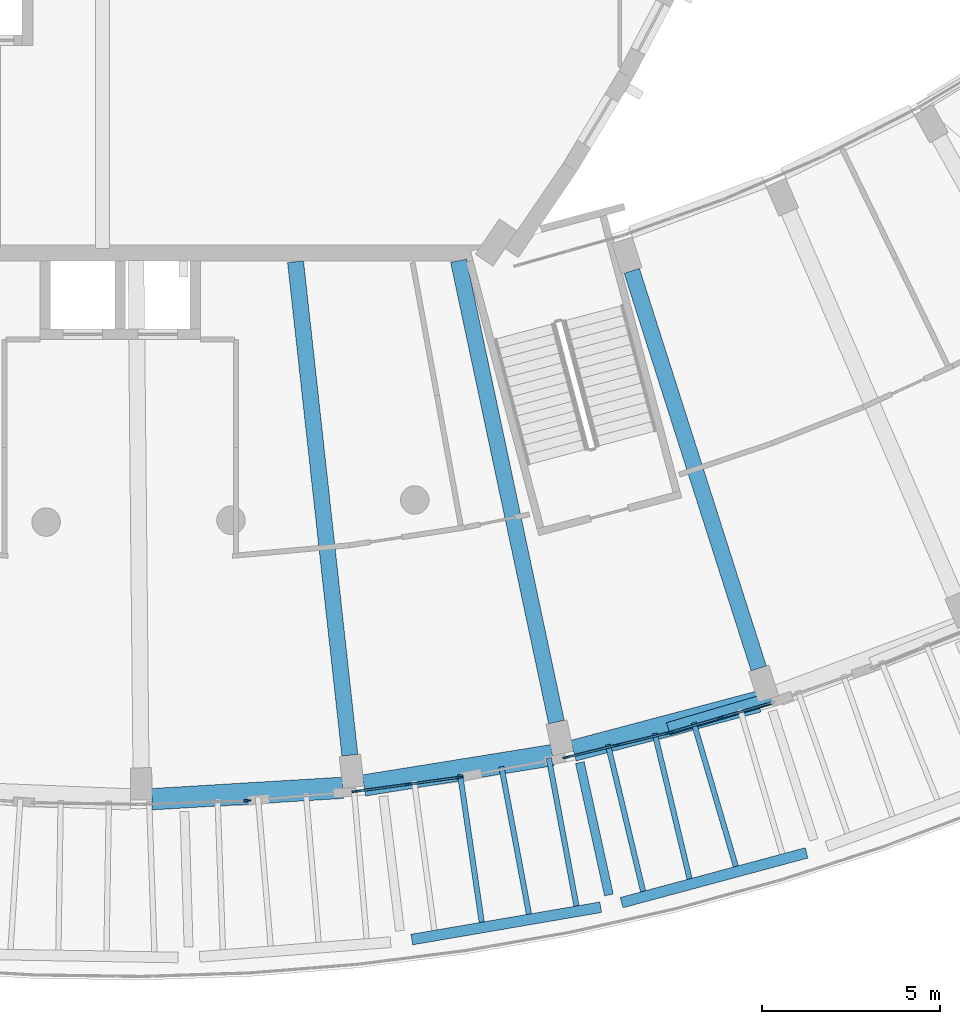
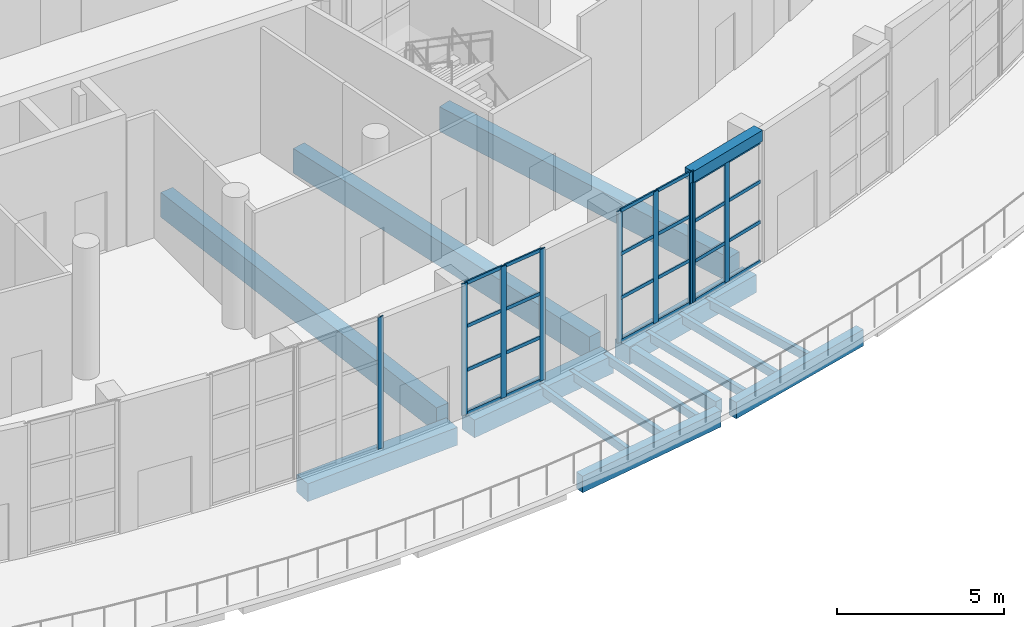
# One storey, part 19 of 93: 33 members, 16 beams, 4 elements without a shape of their own.
"""IFC4 building model written with IfcOpenShell, lengths in metres."""

from ifc_helpers import new_model, si_unit, direction, frame, origin, origin_2d, place, context, subcontext, project, spatial, rectangle, extrude, material, material_profile, profile_set, type_object, element, aggregate, save


model = new_model("IFC4")

# Units and contexts
model_context = context("Model", 3, precision=1e-05, world=origin(), true_north=direction((0.0, 1.0)))
body_context = subcontext(model_context, "Body", "Model", "MODEL_VIEW")
ifc_project = project(units=[si_unit("LENGTHUNIT", "METRE"), si_unit("AREAUNIT", "SQUARE_METRE"), si_unit("VOLUMEUNIT", "CUBIC_METRE"), si_unit("PLANEANGLEUNIT", "RADIAN"), si_unit("MASSUNIT", "GRAM", prefix="KILO")], contexts=[model_context])

# Site, building, storey
site_placement = place(None, origin())
site = spatial("IfcSite", under=ifc_project, at=site_placement, CompositionType="ELEMENT")
building_placement = place(site_placement, origin())
building = spatial("IfcBuilding", under=site, at=building_placement, Name="Tide Square Theatres", CompositionType="ELEMENT")
storey_placement = place(building_placement, frame((0.0, 0.0, 5.39990234375)))
storey = spatial("IfcBuildingStorey", under=building, at=storey_placement, Name="L01", CompositionType="ELEMENT", Elevation=5.39990234375)

# Curtain wall, member
ifc_material_1 = material(Name="Aluminium 6063-T5", Category="aluminium")
curtain_wall_type_1 = type_object("IfcCurtainWallType", Name="Unitised system curtain wall 4800 high", PredefinedType="USERDEFINED", material=ifc_material_1)
curtain_wall_1_placement = place(storey_placement, origin())
curtain_wall_1 = element("IfcCurtainWall", 1, at=curtain_wall_1_placement, inside=storey, type_object=curtain_wall_type_1, Name="Foyer outer curtain wall", ObjectType="UNITISED SYSTEM", PredefinedType="USERDEFINED")
ifc_material_2 = material(Name="Aluminium 6063-T5", Category="aluminium")
ifc_material_profile_1 = material_profile(ifc_material_2, rectangle(XDim=0.050048828125, YDim=0.199951171875, at=origin_2d()))
ifc_profile_set_1 = profile_set([ifc_material_profile_1], Name="Aluminium 6063-T5")
member_type_1 = type_object("IfcMemberType", Name="Aluminium mullion 50 x 200", PredefinedType="MULLION", material=ifc_profile_set_1)
member_1_placement = place(storey_placement, frame((87.56103515625, 8.231689453125, 0.0), z_axis=(0.0, 0.0, 1.0), x_axis=(-0.034879571875, 0.999391522611, 0.0)))
member_1 = element("IfcMember", 2, at=member_1_placement, type_object=member_type_1, Name="CW-02 mullion 3", PredefinedType="MULLION", context=body_context, shape_type="SweptSolid", body=[
    extrude(rectangle(XDim=0.050048828125, YDim=0.199951171875, at=origin_2d()), origin(), (0.0, 0.0, 1.0), 4.800048828125),
])
aggregate(curtain_wall_1, [member_1])

# Curtain wall, members
curtain_wall_2_placement = place(storey_placement, origin())
curtain_wall_2 = element("IfcCurtainWall", 3, at=curtain_wall_2_placement, inside=storey, type_object=curtain_wall_type_1, Name="Foyer outer curtain wall", ObjectType="UNITISED SYSTEM", PredefinedType="USERDEFINED")
member_2_placement = place(storey_placement, frame((90.595947265625, 8.489990234375, 0.0), z_axis=(0.0, 0.0, 1.0), x_axis=(-0.134576982836, 0.990903141427, 0.0)))
member_2 = element("IfcMember", 4, at=member_2_placement, type_object=member_type_1, Name="CW-02 mullion 1", PredefinedType="MULLION", context=body_context, shape_type="SweptSolid", body=[
    extrude(rectangle(XDim=0.050048828125, YDim=0.199951171875, at=origin_2d()), origin(), (0.0, 0.0, 1.0), 4.800048828125),
])
member_3_placement = place(storey_placement, frame((92.055419921875, 8.688232421875, 0.0), z_axis=(0.0, 0.0, 1.0), x_axis=(-0.134576982836, 0.990903141427, 0.0)))
member_3 = element("IfcMember", 5, at=member_3_placement, type_object=member_type_1, Name="CW-02 mullion 2", PredefinedType="MULLION", context=body_context, shape_type="SweptSolid", body=[
    extrude(rectangle(XDim=0.050048828125, YDim=0.199951171875, at=origin_2d()), origin(), (0.0, 0.0, 1.0), 4.800048828125),
])
member_4_placement = place(storey_placement, frame((93.51513671875, 8.886474609375, 0.0), z_axis=(0.0, 0.0, 1.0), x_axis=(-0.134576982836, 0.990903141427, 0.0)))
member_4 = element("IfcMember", 6, at=member_4_placement, type_object=member_type_1, Name="CW-02 mullion 3", PredefinedType="MULLION", context=body_context, shape_type="SweptSolid", body=[
    extrude(rectangle(XDim=0.050048828125, YDim=0.199951171875, at=origin_2d()), origin(), (0.0, 0.0, 1.0), 4.800048828125),
])

curtain_wall_3_placement = place(storey_placement, origin())
curtain_wall_3 = element("IfcCurtainWall", 7, at=curtain_wall_3_placement, inside=storey, type_object=curtain_wall_type_1, Name="Foyer outer curtain wall", ObjectType="UNITISED SYSTEM", PredefinedType="USERDEFINED")
member_5_placement = place(storey_placement, frame((96.509033203125, 9.447021484375, 0.0), z_axis=(0.0, 0.0, 1.0), x_axis=(-0.232910887324, 0.972498081523, 0.0)))
member_5 = element("IfcMember", 8, at=member_5_placement, type_object=member_type_1, Name="CW-02 mullion 1", PredefinedType="MULLION", context=body_context, shape_type="SweptSolid", body=[
    extrude(rectangle(XDim=0.050048828125, YDim=0.199951171875, at=origin_2d()), origin(), (0.0, 0.0, 1.0), 4.800048828125),
])
member_6_placement = place(storey_placement, frame((97.94140625, 9.7900390625, 0.0), z_axis=(0.0, 0.0, 1.0), x_axis=(-0.232910887324, 0.972498081523, 0.0)))
member_6 = element("IfcMember", 9, at=member_6_placement, type_object=member_type_1, Name="CW-02 mullion 2", PredefinedType="MULLION", context=body_context, shape_type="SweptSolid", body=[
    extrude(rectangle(XDim=0.050048828125, YDim=0.199951171875, at=origin_2d()), origin(), (0.0, 0.0, 1.0), 4.800048828125),
])
member_7_placement = place(storey_placement, frame((99.3740234375, 10.133056640625, 0.0), z_axis=(0.0, 0.0, 1.0), x_axis=(-0.232910887324, 0.972498081523, 0.0)))
member_7 = element("IfcMember", 10, at=member_7_placement, type_object=member_type_1, Name="CW-02 mullion 3", PredefinedType="MULLION", context=body_context, shape_type="SweptSolid", body=[
    extrude(rectangle(XDim=0.050048828125, YDim=0.199951171875, at=origin_2d()), origin(), (0.0, 0.0, 1.0), 4.800048828125),
])

ifc_material_3 = material(Name="Aluminium 6063-T5", Category="aluminium")
curtain_wall_type_2 = type_object("IfcCurtainWallType", Name="Unitised system curtain wall 4600 high", PredefinedType="USERDEFINED", material=ifc_material_3)
curtain_wall_4_placement = place(storey_placement, origin())
curtain_wall_4 = element("IfcCurtainWall", 11, at=curtain_wall_4_placement, inside=storey, type_object=curtain_wall_type_2, Name="Foyer outer curtain wall", ObjectType="UNITISED SYSTEM", PredefinedType="USERDEFINED")
member_8_placement = place(storey_placement, frame((99.42236328125, 10.14599609375, 0.0), z_axis=(0.0, 0.0, 1.0), x_axis=(-0.281278914607, 0.959626058524, 0.0)))
member_8 = element("IfcMember", 12, at=member_8_placement, type_object=member_type_1, Name="CW-03 mullion 1", PredefinedType="MULLION", context=body_context, shape_type="SweptSolid", body=[
    extrude(rectangle(XDim=0.050048828125, YDim=0.199951171875, at=origin_2d()), origin(), (0.0, 0.0, 1.0), 4.400146484375),
])
member_9_placement = place(storey_placement, frame((100.835693359375, 10.560302734375, 0.0), z_axis=(0.0, 0.0, 1.0), x_axis=(-0.281278914607, 0.959626058524, 0.0)))
member_9 = element("IfcMember", 13, at=member_9_placement, type_object=member_type_1, Name="CW-03 mullion 2", PredefinedType="MULLION", context=body_context, shape_type="SweptSolid", body=[
    extrude(rectangle(XDim=0.050048828125, YDim=0.199951171875, at=origin_2d()), origin(), (0.0, 0.0, 1.0), 4.400146484375),
])

# Member
ifc_material_4 = material(Name="Aluminium 6063-T5", Category="aluminium")
ifc_material_profile_2 = material_profile(ifc_material_4, rectangle(XDim=0.050048828125, YDim=0.125, at=origin_2d()))
ifc_profile_set_2 = profile_set([ifc_material_profile_2], Name="Aluminium 6063-T5")
member_type_2 = type_object("IfcMemberType", Name="Aluminium transom 50 x 125", PredefinedType="USERDEFINED", material=ifc_profile_set_2)
member_10_placement = place(storey_placement, frame((90.62060546875, 8.493408203125, 0.025146484375), z_axis=(0.990913495372, 0.134500723749, 0.0), x_axis=(-0.134500723749, 0.990913495372, 0.0)))
member_10 = element("IfcMember", 14, at=member_10_placement, type_object=member_type_2, Name="CW-02 transom 1.1", ObjectType="TRANSOM", PredefinedType="USERDEFINED", context=body_context, shape_type="SweptSolid", body=[
    extrude(rectangle(XDim=0.050048828125, YDim=0.125, at=origin_2d()), origin(), (0.0, 0.0, 1.0), 1.423095703125),
])

member_11_placement = place(storey_placement, frame((90.62060546875, 8.493408203125, 1.60009765625), z_axis=(0.990913495372, 0.134500723749, 0.0), x_axis=(-0.134500723749, 0.990913495372, 0.0)))
member_11 = element("IfcMember", 15, at=member_11_placement, type_object=member_type_2, Name="CW-02 transom 1.2", ObjectType="TRANSOM", PredefinedType="USERDEFINED", context=body_context, shape_type="SweptSolid", body=[
    extrude(rectangle(XDim=0.050048828125, YDim=0.125, at=origin_2d()), origin(), (0.0, 0.0, 1.0), 1.423095703125),
])

member_12_placement = place(storey_placement, frame((90.62060546875, 8.493408203125, 3.2001953125), z_axis=(0.990913495372, 0.134500723749, 0.0), x_axis=(-0.134500723749, 0.990913495372, 0.0)))
member_12 = element("IfcMember", 16, at=member_12_placement, type_object=member_type_2, Name="CW-02 transom 1.3", ObjectType="TRANSOM", PredefinedType="USERDEFINED", context=body_context, shape_type="SweptSolid", body=[
    extrude(rectangle(XDim=0.050048828125, YDim=0.125, at=origin_2d()), origin(), (0.0, 0.0, 1.0), 1.423095703125),
])

member_13_placement = place(storey_placement, frame((90.62060546875, 8.493408203125, 4.775146484375), z_axis=(0.990913495372, 0.134500723749, 0.0), x_axis=(-0.134500723749, 0.990913495372, 0.0)))
member_13 = element("IfcMember", 17, at=member_13_placement, type_object=member_type_2, Name="CW-02 transom 1.4", ObjectType="TRANSOM", PredefinedType="USERDEFINED", context=body_context, shape_type="SweptSolid", body=[
    extrude(rectangle(XDim=0.050048828125, YDim=0.125, at=origin_2d()), origin(), (0.0, 0.0, 1.0), 1.423095703125),
])

member_14_placement = place(storey_placement, frame((92.080322265625, 8.691650390625, 0.025146484375), z_axis=(0.990910391038, 0.13452359248, 0.0), x_axis=(-0.13452359248, 0.990910391038, 0.0)))
member_14 = element("IfcMember", 18, at=member_14_placement, type_object=member_type_2, Name="CW-02 transom 2.1", ObjectType="TRANSOM", PredefinedType="USERDEFINED", context=body_context, shape_type="SweptSolid", body=[
    extrude(rectangle(XDim=0.050048828125, YDim=0.125, at=origin_2d()), origin(), (0.0, 0.0, 1.0), 1.4228515625),
])

member_15_placement = place(storey_placement, frame((92.080322265625, 8.691650390625, 1.60009765625), z_axis=(0.990910391038, 0.13452359248, 0.0), x_axis=(-0.13452359248, 0.990910391038, 0.0)))
member_15 = element("IfcMember", 19, at=member_15_placement, type_object=member_type_2, Name="CW-02 transom 2.2", ObjectType="TRANSOM", PredefinedType="USERDEFINED", context=body_context, shape_type="SweptSolid", body=[
    extrude(rectangle(XDim=0.050048828125, YDim=0.125, at=origin_2d()), origin(), (0.0, 0.0, 1.0), 1.4228515625),
])

member_16_placement = place(storey_placement, frame((92.080322265625, 8.691650390625, 3.2001953125), z_axis=(0.990910391038, 0.13452359248, 0.0), x_axis=(-0.13452359248, 0.990910391038, 0.0)))
member_16 = element("IfcMember", 20, at=member_16_placement, type_object=member_type_2, Name="CW-02 transom 2.3", ObjectType="TRANSOM", PredefinedType="USERDEFINED", context=body_context, shape_type="SweptSolid", body=[
    extrude(rectangle(XDim=0.050048828125, YDim=0.125, at=origin_2d()), origin(), (0.0, 0.0, 1.0), 1.4228515625),
])

member_17_placement = place(storey_placement, frame((92.080322265625, 8.691650390625, 4.775146484375), z_axis=(0.990910391038, 0.13452359248, 0.0), x_axis=(-0.13452359248, 0.990910391038, 0.0)))
member_17 = element("IfcMember", 21, at=member_17_placement, type_object=member_type_2, Name="CW-02 transom 2.4", ObjectType="TRANSOM", PredefinedType="USERDEFINED", context=body_context, shape_type="SweptSolid", body=[
    extrude(rectangle(XDim=0.050048828125, YDim=0.125, at=origin_2d()), origin(), (0.0, 0.0, 1.0), 1.4228515625),
])

aggregate(curtain_wall_2, [member_2, member_3, member_4, member_10, member_11, member_12, member_13, member_14, member_15, member_16, member_17])

member_18_placement = place(storey_placement, frame((96.533203125, 9.45263671875, 0.025146484375), z_axis=(0.972486870148, 0.232957694419, 0.0), x_axis=(-0.232957694419, 0.972486870148, 0.0)))
member_18 = element("IfcMember", 22, at=member_18_placement, type_object=member_type_2, Name="CW-02 transom 1.1", ObjectType="TRANSOM", PredefinedType="USERDEFINED", context=body_context, shape_type="SweptSolid", body=[
    extrude(rectangle(XDim=0.050048828125, YDim=0.125, at=origin_2d()), origin(), (0.0, 0.0, 1.0), 1.423095703125),
])

member_19_placement = place(storey_placement, frame((96.533203125, 9.45263671875, 1.60009765625), z_axis=(0.972486870148, 0.232957694419, 0.0), x_axis=(-0.232957694419, 0.972486870148, 0.0)))
member_19 = element("IfcMember", 23, at=member_19_placement, type_object=member_type_2, Name="CW-02 transom 1.2", ObjectType="TRANSOM", PredefinedType="USERDEFINED", context=body_context, shape_type="SweptSolid", body=[
    extrude(rectangle(XDim=0.050048828125, YDim=0.125, at=origin_2d()), origin(), (0.0, 0.0, 1.0), 1.423095703125),
])

member_20_placement = place(storey_placement, frame((96.533203125, 9.45263671875, 3.2001953125), z_axis=(0.972486870148, 0.232957694419, 0.0), x_axis=(-0.232957694419, 0.972486870148, 0.0)))
member_20 = element("IfcMember", 24, at=member_20_placement, type_object=member_type_2, Name="CW-02 transom 1.3", ObjectType="TRANSOM", PredefinedType="USERDEFINED", context=body_context, shape_type="SweptSolid", body=[
    extrude(rectangle(XDim=0.050048828125, YDim=0.125, at=origin_2d()), origin(), (0.0, 0.0, 1.0), 1.423095703125),
])

member_21_placement = place(storey_placement, frame((96.533203125, 9.45263671875, 4.775146484375), z_axis=(0.972486870148, 0.232957694419, 0.0), x_axis=(-0.232957694419, 0.972486870148, 0.0)))
member_21 = element("IfcMember", 25, at=member_21_placement, type_object=member_type_2, Name="CW-02 transom 1.4", ObjectType="TRANSOM", PredefinedType="USERDEFINED", context=body_context, shape_type="SweptSolid", body=[
    extrude(rectangle(XDim=0.050048828125, YDim=0.125, at=origin_2d()), origin(), (0.0, 0.0, 1.0), 1.423095703125),
])

member_22_placement = place(storey_placement, frame((97.9658203125, 9.7958984375, 0.025146484375), z_axis=(0.972516421982, 0.232834295101, 0.0), x_axis=(-0.232834295101, 0.972516421982, 0.0)))
member_22 = element("IfcMember", 26, at=member_22_placement, type_object=member_type_2, Name="CW-02 transom 2.1", ObjectType="TRANSOM", PredefinedType="USERDEFINED", context=body_context, shape_type="SweptSolid", body=[
    extrude(rectangle(XDim=0.050048828125, YDim=0.125, at=origin_2d()), origin(), (0.0, 0.0, 1.0), 1.4228515625),
])

member_23_placement = place(storey_placement, frame((97.9658203125, 9.7958984375, 1.60009765625), z_axis=(0.972516421982, 0.232834295101, 0.0), x_axis=(-0.232834295101, 0.972516421982, 0.0)))
member_23 = element("IfcMember", 27, at=member_23_placement, type_object=member_type_2, Name="CW-02 transom 2.2", ObjectType="TRANSOM", PredefinedType="USERDEFINED", context=body_context, shape_type="SweptSolid", body=[
    extrude(rectangle(XDim=0.050048828125, YDim=0.125, at=origin_2d()), origin(), (0.0, 0.0, 1.0), 1.4228515625),
])

member_24_placement = place(storey_placement, frame((97.9658203125, 9.7958984375, 3.2001953125), z_axis=(0.972516421982, 0.232834295101, 0.0), x_axis=(-0.232834295101, 0.972516421982, 0.0)))
member_24 = element("IfcMember", 28, at=member_24_placement, type_object=member_type_2, Name="CW-02 transom 2.3", ObjectType="TRANSOM", PredefinedType="USERDEFINED", context=body_context, shape_type="SweptSolid", body=[
    extrude(rectangle(XDim=0.050048828125, YDim=0.125, at=origin_2d()), origin(), (0.0, 0.0, 1.0), 1.4228515625),
])

member_25_placement = place(storey_placement, frame((97.9658203125, 9.7958984375, 4.775146484375), z_axis=(0.972516421982, 0.232834295101, 0.0), x_axis=(-0.232834295101, 0.972516421982, 0.0)))
member_25 = element("IfcMember", 29, at=member_25_placement, type_object=member_type_2, Name="CW-02 transom 2.4", ObjectType="TRANSOM", PredefinedType="USERDEFINED", context=body_context, shape_type="SweptSolid", body=[
    extrude(rectangle(XDim=0.050048828125, YDim=0.125, at=origin_2d()), origin(), (0.0, 0.0, 1.0), 1.4228515625),
])

aggregate(curtain_wall_3, [member_5, member_6, member_7, member_18, member_19, member_20, member_21, member_22, member_23, member_24, member_25])

member_26_placement = place(storey_placement, frame((99.4462890625, 10.153076171875, 0.025146484375), z_axis=(0.959643713624, 0.281218674527, 0.0), x_axis=(-0.281218674527, 0.959643713624, 0.0)))
member_26 = element("IfcMember", 30, at=member_26_placement, type_object=member_type_2, Name="CW-03 transom 1.1", ObjectType="TRANSOM", PredefinedType="USERDEFINED", context=body_context, shape_type="SweptSolid", body=[
    extrude(rectangle(XDim=0.050048828125, YDim=0.125, at=origin_2d()), origin(), (0.0, 0.0, 1.0), 1.4228515625),
])

member_27_placement = place(storey_placement, frame((99.4462890625, 10.153076171875, 1.466796875), z_axis=(0.959643713624, 0.281218674527, 0.0), x_axis=(-0.281218674527, 0.959643713624, 0.0)))
member_27 = element("IfcMember", 31, at=member_27_placement, type_object=member_type_2, Name="CW-03 transom 1.2", ObjectType="TRANSOM", PredefinedType="USERDEFINED", context=body_context, shape_type="SweptSolid", body=[
    extrude(rectangle(XDim=0.050048828125, YDim=0.125, at=origin_2d()), origin(), (0.0, 0.0, 1.0), 1.4228515625),
])

member_28_placement = place(storey_placement, frame((99.4462890625, 10.153076171875, 2.933349609375), z_axis=(0.959643713624, 0.281218674527, 0.0), x_axis=(-0.281218674527, 0.959643713624, 0.0)))
member_28 = element("IfcMember", 32, at=member_28_placement, type_object=member_type_2, Name="CW-03 transom 1.3", ObjectType="TRANSOM", PredefinedType="USERDEFINED", context=body_context, shape_type="SweptSolid", body=[
    extrude(rectangle(XDim=0.050048828125, YDim=0.125, at=origin_2d()), origin(), (0.0, 0.0, 1.0), 1.4228515625),
])

member_29_placement = place(storey_placement, frame((99.4462890625, 10.153076171875, 4.375), z_axis=(0.959643713624, 0.281218674527, 0.0), x_axis=(-0.281218674527, 0.959643713624, 0.0)))
member_29 = element("IfcMember", 33, at=member_29_placement, type_object=member_type_2, Name="CW-03 transom 1.4", ObjectType="TRANSOM", PredefinedType="USERDEFINED", context=body_context, shape_type="SweptSolid", body=[
    extrude(rectangle(XDim=0.050048828125, YDim=0.125, at=origin_2d()), origin(), (0.0, 0.0, 1.0), 1.4228515625),
])

member_30_placement = place(storey_placement, frame((100.85986328125, 10.5673828125, 0.025146484375), z_axis=(0.959643713624, 0.281218674527, 0.0), x_axis=(-0.281218674527, 0.959643713624, 0.0)))
member_30 = element("IfcMember", 34, at=member_30_placement, type_object=member_type_2, Name="CW-03 transom 2.1", ObjectType="TRANSOM", PredefinedType="USERDEFINED", context=body_context, shape_type="SweptSolid", body=[
    extrude(rectangle(XDim=0.050048828125, YDim=0.125, at=origin_2d()), origin(), (0.0, 0.0, 1.0), 1.4228515625),
])

member_31_placement = place(storey_placement, frame((100.85986328125, 10.5673828125, 1.466796875), z_axis=(0.959643713624, 0.281218674527, 0.0), x_axis=(-0.281218674527, 0.959643713624, 0.0)))
member_31 = element("IfcMember", 35, at=member_31_placement, type_object=member_type_2, Name="CW-03 transom 2.2", ObjectType="TRANSOM", PredefinedType="USERDEFINED", context=body_context, shape_type="SweptSolid", body=[
    extrude(rectangle(XDim=0.050048828125, YDim=0.125, at=origin_2d()), origin(), (0.0, 0.0, 1.0), 1.4228515625),
])

member_32_placement = place(storey_placement, frame((100.85986328125, 10.5673828125, 2.933349609375), z_axis=(0.959643713624, 0.281218674527, 0.0), x_axis=(-0.281218674527, 0.959643713624, 0.0)))
member_32 = element("IfcMember", 36, at=member_32_placement, type_object=member_type_2, Name="CW-03 transom 2.3", ObjectType="TRANSOM", PredefinedType="USERDEFINED", context=body_context, shape_type="SweptSolid", body=[
    extrude(rectangle(XDim=0.050048828125, YDim=0.125, at=origin_2d()), origin(), (0.0, 0.0, 1.0), 1.4228515625),
])

member_33_placement = place(storey_placement, frame((100.85986328125, 10.5673828125, 4.375), z_axis=(0.959643713624, 0.281218674527, 0.0), x_axis=(-0.281218674527, 0.959643713624, 0.0)))
member_33 = element("IfcMember", 37, at=member_33_placement, type_object=member_type_2, Name="CW-03 transom 2.4", ObjectType="TRANSOM", PredefinedType="USERDEFINED", context=body_context, shape_type="SweptSolid", body=[
    extrude(rectangle(XDim=0.050048828125, YDim=0.125, at=origin_2d()), origin(), (0.0, 0.0, 1.0), 1.4228515625),
])

aggregate(curtain_wall_4, [member_8, member_9, member_26, member_27, member_28, member_29, member_30, member_31, member_32, member_33])

# Beams
ifc_material_5 = material(Name="Concrete C35", Category="concrete")
ifc_material_profile_3 = material_profile(ifc_material_5, rectangle(XDim=0.14990234375, YDim=0.300048828125, at=origin_2d()))
ifc_profile_set_3 = profile_set([ifc_material_profile_3], Name="Concrete C35")
beam_type_1 = type_object("IfcBeamType", Name="RC arcade roof rib 150 x 300", PredefinedType="JOIST", material=ifc_profile_set_3)
beam_1_placement = place(storey_placement, frame((94.135498046875, 4.82373046875, -0.349853515625), z_axis=(-0.145210135253, 0.989400837184, 0.0), x_axis=(-0.989400837184, -0.145210135253, 0.0)))
element("IfcBeam", 38, at=beam_1_placement, inside=storey, type_object=beam_type_1, Name="Arcade roof rib", PredefinedType="JOIST", context=body_context, shape_type="SweptSolid", body=[
    extrude(rectangle(XDim=0.14990234375, YDim=0.300048828125, at=origin_2d()), origin(), (0.0, 0.0, 1.0), 4.184814453125),
])
beam_2_placement = place(storey_placement, frame((95.460205078125, 5.050537109375, -0.349853515625), z_axis=(-0.183944746899, 0.982936584978, 0.0), x_axis=(-0.982936584978, -0.183944746899, 0.0)))
element("IfcBeam", 39, at=beam_2_placement, inside=storey, type_object=beam_type_1, Name="Arcade roof rib", PredefinedType="JOIST", context=body_context, shape_type="SweptSolid", body=[
    extrude(rectangle(XDim=0.14990234375, YDim=0.300048828125, at=origin_2d()), origin(), (0.0, 0.0, 1.0), 4.2021484375),
])
beam_3_placement = place(storey_placement, frame((96.791015625, 5.278564453125, -0.349853515625), z_axis=(-0.184026722495, 0.982921240694, 0.0), x_axis=(-0.982921240694, -0.184026722495, 0.0)))
element("IfcBeam", 40, at=beam_3_placement, inside=storey, type_object=beam_type_1, Name="Arcade roof rib", PredefinedType="JOIST", context=body_context, shape_type="SweptSolid", body=[
    extrude(rectangle(XDim=0.14990234375, YDim=0.300048828125, at=origin_2d()), origin(), (0.0, 0.0, 1.0), 4.22265625),
])
beam_4_placement = place(storey_placement, frame((98.658935546875, 5.688720703125, -0.349853515625), z_axis=(-0.232910212964, 0.97249824303, 0.0), x_axis=(-0.97249824303, -0.232910212964, 0.0)))
element("IfcBeam", 41, at=beam_4_placement, inside=storey, type_object=beam_type_1, Name="Arcade roof rib", PredefinedType="JOIST", context=body_context, shape_type="SweptSolid", body=[
    extrude(rectangle(XDim=0.14990234375, YDim=0.300048828125, at=origin_2d()), origin(), (0.0, 0.0, 1.0), 4.230712890625),
])
beam_5_placement = place(storey_placement, frame((99.962646484375, 6.0390625, -0.349853515625), z_axis=(-0.23287968258, 0.972505554453, 0.0), x_axis=(-0.972505554453, -0.23287968258, 0.0)))
element("IfcBeam", 42, at=beam_5_placement, inside=storey, type_object=beam_type_1, Name="Arcade roof rib", PredefinedType="JOIST", context=body_context, shape_type="SweptSolid", body=[
    extrude(rectangle(XDim=0.14990234375, YDim=0.300048828125, at=origin_2d()), origin(), (0.0, 0.0, 1.0), 4.193359375),
])
beam_6_placement = place(storey_placement, frame((101.25927734375, 6.3876953125, -0.349853515625), z_axis=(-0.281281514873, 0.959625296348, 0.0), x_axis=(-0.959625296348, -0.281281514873, 0.0)))
element("IfcBeam", 43, at=beam_6_placement, inside=storey, type_object=beam_type_1, Name="Arcade roof rib", PredefinedType="JOIST", context=body_context, shape_type="SweptSolid", body=[
    extrude(rectangle(XDim=0.14990234375, YDim=0.300048828125, at=origin_2d()), origin(), (0.0, 0.0, 1.0), 4.1982421875),
])
ifc_material_6 = material(Name="Concrete C35", Category="concrete")
ifc_material_profile_4 = material_profile(ifc_material_6, rectangle(XDim=0.25, YDim=0.5, at=origin_2d()))
ifc_profile_set_4 = profile_set([ifc_material_profile_4], Name="Concrete C35")
beam_type_2 = type_object("IfcBeamType", Name="RC beam 250 x 500", PredefinedType="BEAM", material=ifc_profile_set_4)
beam_7_placement = place(storey_placement, frame((97.701416015625, 5.586181640625, -0.449951171875), z_axis=(-0.214392345168, 0.976747624688, 0.0), x_axis=(-0.976747624688, -0.214392345168, 0.0)))
element("IfcBeam", 44, at=beam_7_placement, inside=storey, type_object=beam_type_2, Name="Arcade slab beam", PredefinedType="BEAM", context=body_context, shape_type="SweptSolid", body=[
    extrude(rectangle(XDim=0.25, YDim=0.5, at=origin_2d()), origin(), (0.0, 0.0, 1.0), 3.800048828125),
])
ifc_material_7 = material(Name="Concrete C35", Category="concrete")
ifc_material_profile_5 = material_profile(ifc_material_7, rectangle(XDim=0.300048828125, YDim=0.60009765625, at=origin_2d()))
ifc_profile_set_5 = profile_set([ifc_material_profile_5], Name="Concrete C35")
beam_type_3 = type_object("IfcBeamType", Name="RC beam 300 x 600", PredefinedType="BEAM", material=ifc_profile_set_5)
for number, where, z_axis, x_axis, name in (
    (45, (92.175048828125, 4.3359375, -0.5), (0.985653375548, 0.168782176992, 0.0), (-0.168782176992, 0.985653375548, 0.0), "Colonnade beam"),
    (46, (98.055419921875, 5.37109375, -0.5), (0.965708718159, 0.259627948557, 0.0), (-0.259627948557, 0.965708718159, 0.0), "Colonnade beam"),
):
    element("IfcBeam", number, at=place(storey_placement, frame(where, z_axis=z_axis, x_axis=x_axis)), inside=storey, type_object=beam_type_3, Name=name, PredefinedType="BEAM", context=body_context, shape_type="SweptSolid", body=[
        extrude(rectangle(XDim=0.300048828125, YDim=0.60009765625, at=origin_2d()), origin(), (0.0, 0.0, 1.0), 5.372314453125),
    ])
ifc_material_8 = material(Name="Concrete C35", Category="concrete")
ifc_material_profile_6 = material_profile(ifc_material_8, rectangle(XDim=0.35009765625, YDim=0.39990234375, at=origin_2d()))
ifc_profile_set_6 = profile_set([ifc_material_profile_6], Name="Concrete C35")
beam_type_4 = type_object("IfcBeamType", Name="RC beam 350 x 400", PredefinedType="BEAM", material=ifc_profile_set_6)
beam_8_placement = place(storey_placement, frame((99.365966796875, 10.249267578125, 4.60009765625), z_axis=(0.959619441909, 0.281301487217, 0.0), x_axis=(-0.281301487217, 0.959619441909, 0.0)))
element("IfcBeam", 47, at=beam_8_placement, inside=storey, type_object=beam_type_4, Name="Foyer fascia head beam", PredefinedType="BEAM", context=body_context, shape_type="SweptSolid", body=[
    extrude(rectangle(XDim=0.35009765625, YDim=0.39990234375, at=origin_2d()), origin(), (0.0, 0.0, 1.0), 2.99609375),
])
ifc_material_9 = material(Name="Concrete C35", Category="concrete")
ifc_material_profile_7 = material_profile(ifc_material_9, rectangle(XDim=0.449951171875, YDim=0.89990234375, at=origin_2d()))
ifc_profile_set_7 = profile_set([ifc_material_profile_7], Name="Concrete C35")
beam_type_5 = type_object("IfcBeamType", Name="RC beam 450 x 900", PredefinedType="BEAM", material=ifc_profile_set_7)
beam_9_placement = place(storey_placement, frame((90.437744140625, 9.503173828125, -0.669921875), z_axis=(-0.10939004054, 0.993998902932, 0.0), x_axis=(-0.993998902932, -0.10939004054, 0.0)))
element("IfcBeam", 48, at=beam_9_placement, inside=storey, type_object=beam_type_5, Name="Foyer floor girder", PredefinedType="BEAM", context=body_context, shape_type="SweptSolid", body=[
    extrude(rectangle(XDim=0.449951171875, YDim=0.89990234375, at=origin_2d()), origin(), (0.0, 0.0, 1.0), 13.919921875),
])
beam_10_placement = place(storey_placement, frame((96.22998046875, 10.434814453125, -0.669921875), z_axis=(-0.207814802458, 0.978168189975, 0.0), x_axis=(-0.978168189975, -0.207814802458, 0.0)))
element("IfcBeam", 49, at=beam_10_placement, inside=storey, type_object=beam_type_5, Name="Foyer floor girder", PredefinedType="BEAM", context=body_context, shape_type="SweptSolid", body=[
    extrude(rectangle(XDim=0.449951171875, YDim=0.89990234375, at=origin_2d()), origin(), (0.0, 0.0, 1.0), 13.219970703125),
])
beam_11_placement = place(storey_placement, frame((101.900390625, 11.9384765625, -0.669921875), z_axis=(-0.304157829289, 0.952621653587, 0.0), x_axis=(-0.952621653587, -0.304157829289, 0.0)))
element("IfcBeam", 50, at=beam_11_placement, inside=storey, type_object=beam_type_5, Name="Foyer floor girder", PredefinedType="BEAM", context=body_context, shape_type="SweptSolid", body=[
    extrude(rectangle(XDim=0.449951171875, YDim=0.89990234375, at=origin_2d()), origin(), (0.0, 0.0, 1.0), 11.69970703125),
])
ifc_material_10 = material(Name="Concrete C35", Category="concrete")
ifc_material_profile_8 = material_profile(ifc_material_10, rectangle(XDim=0.60009765625, YDim=0.64990234375, at=origin_2d()))
ifc_profile_set_8 = profile_set([ifc_material_profile_8], Name="Concrete C35")
beam_type_6 = type_object("IfcBeamType", Name="RC spandrel beam 600 x 650", PredefinedType="SPANDREL", material=ifc_profile_set_8)
beam_12_placement = place(storey_placement, frame((84.889892578125, 8.270751953125, -0.544921875), z_axis=(0.998213173974, 0.059753320446, 0.0), x_axis=(-0.059753320446, 0.998213173974, 0.0)))
element("IfcBeam", 51, at=beam_12_placement, inside=storey, type_object=beam_type_6, Name="Foyer outer spandrel beam", PredefinedType="SPANDREL", context=body_context, shape_type="SweptSolid", body=[
    extrude(rectangle(XDim=0.60009765625, YDim=0.64990234375, at=origin_2d()), origin(), (0.0, 0.0, 1.0), 5.3564453125),
])
beam_13_placement = place(storey_placement, frame((90.83251953125, 8.65625, -0.544921875), z_axis=(0.987309449037, 0.158808223474, 0.0), x_axis=(-0.158808223474, 0.987309449037, 0.0)))
element("IfcBeam", 52, at=beam_13_placement, inside=storey, type_object=beam_type_6, Name="Foyer outer spandrel beam", PredefinedType="SPANDREL", context=body_context, shape_type="SweptSolid", body=[
    extrude(rectangle(XDim=0.60009765625, YDim=0.64990234375, at=origin_2d()), origin(), (0.0, 0.0, 1.0), 5.35595703125),
])
beam_14_placement = place(storey_placement, frame((96.706787109375, 9.63134765625, -0.544921875), z_axis=(0.966599358631, 0.256292176809, 0.0), x_axis=(-0.256292176809, 0.966599358631, 0.0)))
element("IfcBeam", 53, at=beam_14_placement, inside=storey, type_object=beam_type_6, Name="Foyer outer spandrel beam", PredefinedType="SPANDREL", context=body_context, shape_type="SweptSolid", body=[
    extrude(rectangle(XDim=0.60009765625, YDim=0.64990234375, at=origin_2d()), origin(), (0.0, 0.0, 1.0), 5.3564453125),
])

save(model, "model.ifc")
